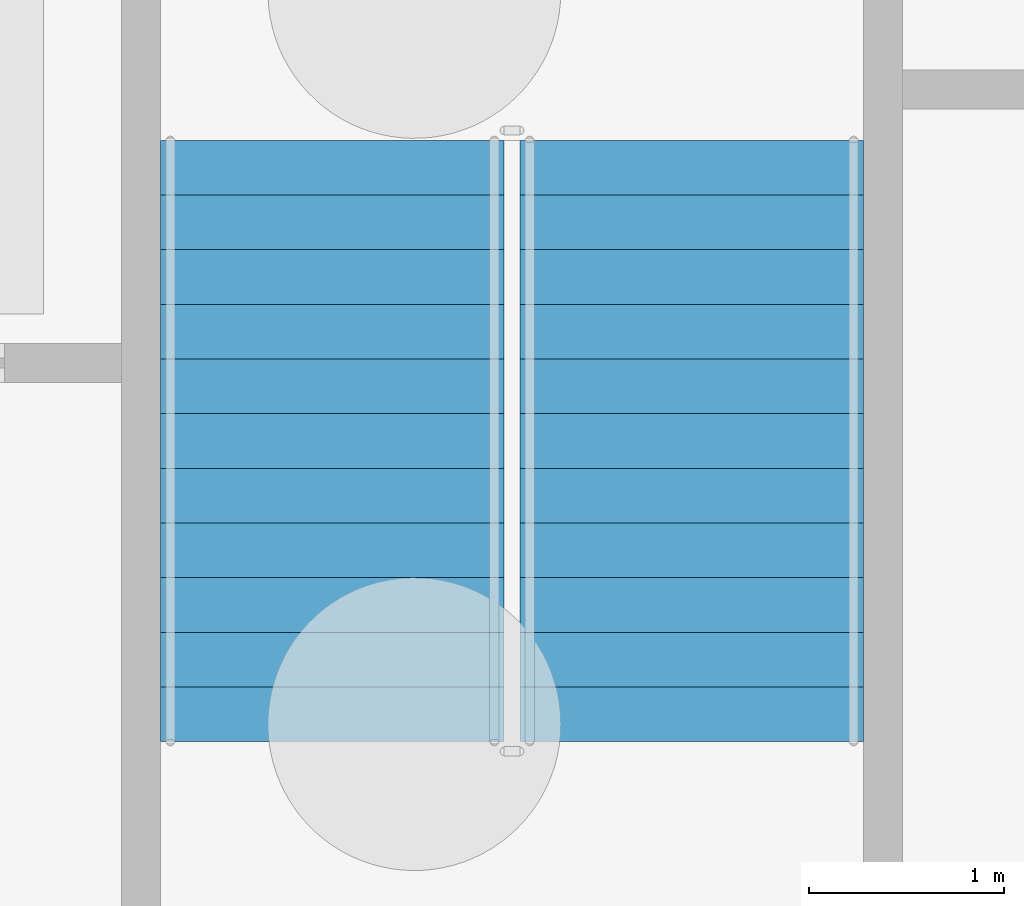
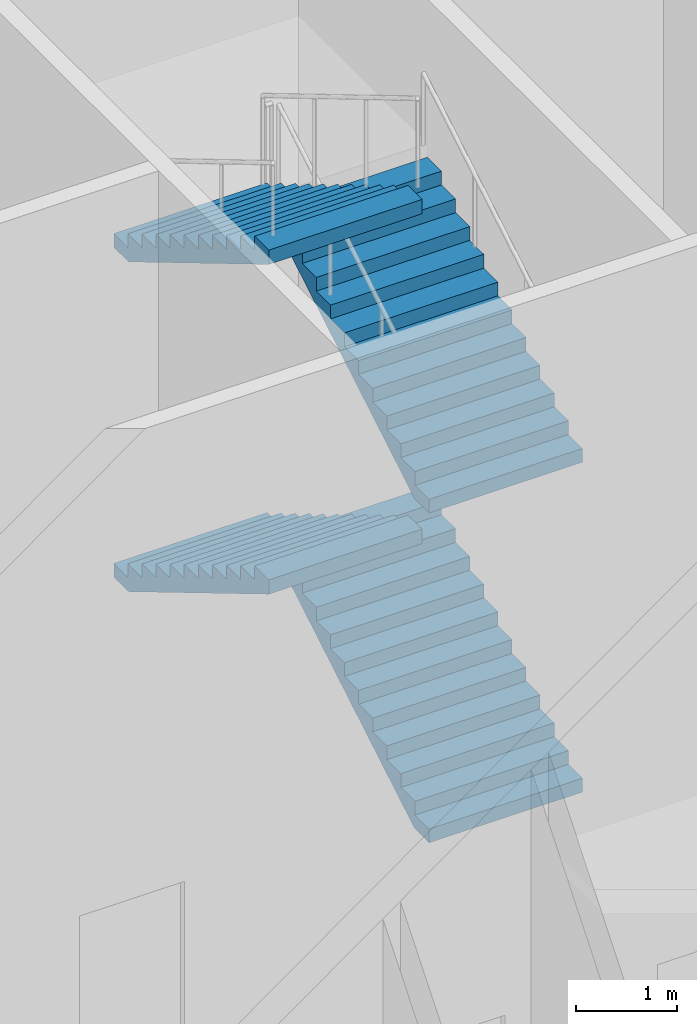
# One storey, part 25 of 34: 4 stair flights, 1 element without a shape of its own.
"""IFC4 building model written with IfcOpenShell, lengths in metres."""

from ifc_helpers import new_model, si_unit, direction, frame, origin, place, context, subcontext, project, spatial, faceted_brep, material, type_object, element, aggregate, save


model = new_model("IFC4")

# Units and contexts
model_context = context("Model", 3, precision=1e-05, world=origin(), true_north=direction((0.0, 1.0)))
body_context = subcontext(model_context, "Body", "Model", "MODEL_VIEW")
ifc_project = project(units=[si_unit("LENGTHUNIT", "METRE"), si_unit("AREAUNIT", "SQUARE_METRE"), si_unit("VOLUMEUNIT", "CUBIC_METRE"), si_unit("PLANEANGLEUNIT", "RADIAN"), si_unit("MASSUNIT", "GRAM", prefix="KILO")], contexts=[model_context])

# Site, building, storey
site_placement = place(None, origin())
site = spatial("IfcSite", under=ifc_project, at=site_placement, CompositionType="ELEMENT")
building_placement = place(site_placement, origin())
building = spatial("IfcBuilding", under=site, at=building_placement, Name="Tarsis Ring Headquarters", CompositionType="ELEMENT")
storey_placement = place(building_placement, origin())
storey = spatial("IfcBuildingStorey", under=building, at=storey_placement, Name="L00", CompositionType="ELEMENT", Elevation=0.0)

# Stair, stair flights
ifc_material_1 = material(Name="Core stair 1760")
stair_type = type_object("IfcStairType", Name="Core stair 1760", PredefinedType="HALF_TURN_STAIR", material=ifc_material_1)
stair_placement = place(storey_placement, origin())
stair = element("IfcStair", 1, at=stair_placement, inside=storey, type_object=stair_type, Name="L00 Exit stair B", PredefinedType="HALF_TURN_STAIR")
ifc_material_2 = material(Name="Concrete C40/50", Category="concrete")
stair_flight_type = type_object("IfcStairFlightType", Name="Core stair flight 1760", PredefinedType="STRAIGHT", material=ifc_material_2)
stair_flight_1_placement = place(storey_placement, frame((5.419921875, 3.659912109375, 0.0), z_axis=(0.0, 0.0, 1.0), x_axis=(0.0, 1.0, 0.0)))
stair_flight_1 = element("IfcStairFlight", 2, at=stair_flight_1_placement, type_object=stair_flight_type, Name="Stair ST2 flight 1", NumberOfRisers=12, NumberOfTreads=11, PredefinedType="STRAIGHT", RiserHeight=0.166666667, TreadLength=0.28, context=body_context, shape_type="Brep", body=[
    faceted_brep([(0.0, 0.8798828125, 0.0), (0.0, 0.8798828125, 0.166748046875), (0.280029296875, 0.8798828125, 0.166748046875), (0.280029296875, 0.8798828125, 0.333251953125), (0.56005859375, 0.8798828125, 0.333251953125), (0.56005859375, 0.8798828125, 0.5), (0.840087890625, 0.8798828125, 0.5), (0.840087890625, 0.8798828125, 0.666748046875), (1.1201171875, 0.8798828125, 0.666748046875), (1.1201171875, 0.8798828125, 0.833251953125), (1.39990234375, 0.8798828125, 0.833251953125), (1.39990234375, 0.8798828125, 1.0), (1.679931640625, 0.8798828125, 1.0), (1.679931640625, 0.8798828125, 1.166748046875), (1.9599609375, 0.8798828125, 1.166748046875), (1.9599609375, 0.8798828125, 1.333251953125), (2.239990234375, 0.8798828125, 1.333251953125), (2.239990234375, 0.8798828125, 1.5), (2.52001953125, 0.8798828125, 1.5), (2.52001953125, 0.8798828125, 1.666748046875), (2.800048828125, 0.8798828125, 1.666748046875), (2.800048828125, 0.8798828125, 1.833251953125), (3.080078125, 0.8798828125, 1.833251953125), (3.080078125, 0.8798828125, 1.658935546875), (0.29296875, 0.8798828125, 0.0), (0.29296875, -0.8798828125, 0.0), (3.080078125, -0.8798828125, 1.658935546875), (3.080078125, -0.8798828125, 1.833251953125), (2.800048828125, -0.8798828125, 1.833251953125), (2.800048828125, -0.8798828125, 1.666748046875), (2.52001953125, -0.8798828125, 1.666748046875), (2.52001953125, -0.8798828125, 1.5), (2.239990234375, -0.8798828125, 1.5), (2.239990234375, -0.8798828125, 1.333251953125), (1.9599609375, -0.8798828125, 1.333251953125), (1.9599609375, -0.8798828125, 1.166748046875), (1.679931640625, -0.8798828125, 1.166748046875), (1.679931640625, -0.8798828125, 1.0), (1.39990234375, -0.8798828125, 1.0), (1.39990234375, -0.8798828125, 0.833251953125), (1.1201171875, -0.8798828125, 0.833251953125), (1.1201171875, -0.8798828125, 0.666748046875), (0.840087890625, -0.8798828125, 0.666748046875), (0.840087890625, -0.8798828125, 0.5), (0.56005859375, -0.8798828125, 0.5), (0.56005859375, -0.8798828125, 0.333251953125), (0.280029296875, -0.8798828125, 0.333251953125), (0.280029296875, -0.8798828125, 0.166748046875), (0.0, -0.8798828125, 0.166748046875), (0.0, -0.8798828125, 0.0), (0.0, -0.43994140625, 0.166748046875), (0.0, -0.43994140625, 0.0), (0.0, 0.0, 0.166748046875), (0.0, 0.0, 0.0), (0.0, 0.43994140625, 0.166748046875), (0.0, 0.43994140625, 0.0), (0.280029296875, -0.43994140625, 0.166748046875), (0.280029296875, 0.0, 0.166748046875), (0.280029296875, 0.43994140625, 0.166748046875), (0.280029296875, -0.43994140625, 0.333251953125), (0.280029296875, 0.0, 0.333251953125), (0.280029296875, 0.43994140625, 0.333251953125), (0.56005859375, -0.43994140625, 0.333251953125), (0.56005859375, 0.0, 0.333251953125), (0.56005859375, 0.43994140625, 0.333251953125), (0.56005859375, -0.43994140625, 0.5), (0.56005859375, 0.0, 0.5), (0.56005859375, 0.43994140625, 0.5), (0.840087890625, -0.43994140625, 0.5), (0.840087890625, 0.0, 0.5), (0.840087890625, 0.43994140625, 0.5), (0.840087890625, -0.43994140625, 0.666748046875), (0.840087890625, 0.0, 0.666748046875), (0.840087890625, 0.43994140625, 0.666748046875), (1.1201171875, -0.43994140625, 0.666748046875), (1.1201171875, 0.0, 0.666748046875), (1.1201171875, 0.43994140625, 0.666748046875), (1.1201171875, -0.43994140625, 0.833251953125), (1.1201171875, 0.0, 0.833251953125), (1.1201171875, 0.43994140625, 0.833251953125), (1.39990234375, -0.43994140625, 0.833251953125), (1.39990234375, 0.0, 0.833251953125), (1.39990234375, 0.43994140625, 0.833251953125), (1.39990234375, -0.43994140625, 1.0), (1.39990234375, 0.0, 1.0), (1.39990234375, 0.43994140625, 1.0), (1.679931640625, -0.43994140625, 1.0), (1.679931640625, 0.0, 1.0), (1.679931640625, 0.43994140625, 1.0), (1.679931640625, -0.43994140625, 1.166748046875), (1.679931640625, 0.0, 1.166748046875), (1.679931640625, 0.43994140625, 1.166748046875), (1.9599609375, -0.43994140625, 1.166748046875), (1.9599609375, 0.0, 1.166748046875), (1.9599609375, 0.43994140625, 1.166748046875), (1.9599609375, -0.43994140625, 1.333251953125), (1.9599609375, 0.0, 1.333251953125), (1.9599609375, 0.43994140625, 1.333251953125), (2.239990234375, -0.43994140625, 1.333251953125), (2.239990234375, 0.0, 1.333251953125), (2.239990234375, 0.43994140625, 1.333251953125), (2.239990234375, -0.43994140625, 1.5), (2.239990234375, 0.0, 1.5), (2.239990234375, 0.43994140625, 1.5), (2.52001953125, -0.43994140625, 1.5), (2.52001953125, 0.0, 1.5), (2.52001953125, 0.43994140625, 1.5), (2.52001953125, -0.43994140625, 1.666748046875), (2.52001953125, 0.0, 1.666748046875), (2.52001953125, 0.43994140625, 1.666748046875), (2.800048828125, -0.43994140625, 1.666748046875), (2.800048828125, 0.0, 1.666748046875), (2.800048828125, 0.43994140625, 1.666748046875), (2.800048828125, -0.43994140625, 1.833251953125), (2.800048828125, 0.0, 1.833251953125), (2.800048828125, 0.43994140625, 1.833251953125), (3.080078125, -0.43994140625, 1.833251953125), (3.080078125, 0.0, 1.833251953125), (3.080078125, 0.43994140625, 1.833251953125), (3.080078125, -0.43994140625, 1.658935546875), (3.080078125, 0.0, 1.658935546875), (3.080078125, 0.43994140625, 1.658935546875), (0.29296875, -0.43994140625, 0.0), (0.29296875, 0.0, 0.0), (0.29296875, 0.43994140625, 0.0)], [[[0, 1, 2, 3, 4, 5, 6, 7, 8, 9, 10, 11, 12, 13, 14, 15, 16, 17, 18, 19, 20, 21, 22, 23, 24]], [[25, 26, 27, 28, 29, 30, 31, 32, 33, 34, 35, 36, 37, 38, 39, 40, 41, 42, 43, 44, 45, 46, 47, 48, 49]], [[49, 48, 50, 51]], [[51, 50, 52, 53]], [[53, 52, 54, 55]], [[55, 54, 1, 0]], [[48, 47, 56, 50]], [[50, 56, 57, 52]], [[52, 57, 58, 54]], [[54, 58, 2, 1]], [[47, 46, 59, 56]], [[56, 59, 60, 57]], [[57, 60, 61, 58]], [[58, 61, 3, 2]], [[46, 45, 62, 59]], [[59, 62, 63, 60]], [[60, 63, 64, 61]], [[61, 64, 4, 3]], [[45, 44, 65, 62]], [[62, 65, 66, 63]], [[63, 66, 67, 64]], [[64, 67, 5, 4]], [[44, 43, 68, 65]], [[65, 68, 69, 66]], [[66, 69, 70, 67]], [[67, 70, 6, 5]], [[43, 42, 71, 68]], [[68, 71, 72, 69]], [[69, 72, 73, 70]], [[70, 73, 7, 6]], [[42, 41, 74, 71]], [[71, 74, 75, 72]], [[72, 75, 76, 73]], [[73, 76, 8, 7]], [[41, 40, 77, 74]], [[74, 77, 78, 75]], [[75, 78, 79, 76]], [[76, 79, 9, 8]], [[40, 39, 80, 77]], [[77, 80, 81, 78]], [[78, 81, 82, 79]], [[79, 82, 10, 9]], [[39, 38, 83, 80]], [[80, 83, 84, 81]], [[81, 84, 85, 82]], [[82, 85, 11, 10]], [[38, 37, 86, 83]], [[83, 86, 87, 84]], [[84, 87, 88, 85]], [[85, 88, 12, 11]], [[37, 36, 89, 86]], [[86, 89, 90, 87]], [[87, 90, 91, 88]], [[88, 91, 13, 12]], [[36, 35, 92, 89]], [[89, 92, 93, 90]], [[90, 93, 94, 91]], [[91, 94, 14, 13]], [[35, 34, 95, 92]], [[92, 95, 96, 93]], [[93, 96, 97, 94]], [[94, 97, 15, 14]], [[34, 33, 98, 95]], [[95, 98, 99, 96]], [[96, 99, 100, 97]], [[97, 100, 16, 15]], [[33, 32, 101, 98]], [[98, 101, 102, 99]], [[99, 102, 103, 100]], [[100, 103, 17, 16]], [[32, 31, 104, 101]], [[101, 104, 105, 102]], [[102, 105, 106, 103]], [[103, 106, 18, 17]], [[31, 30, 107, 104]], [[104, 107, 108, 105]], [[105, 108, 109, 106]], [[106, 109, 19, 18]], [[30, 29, 110, 107]], [[107, 110, 111, 108]], [[108, 111, 112, 109]], [[109, 112, 20, 19]], [[29, 28, 113, 110]], [[110, 113, 114, 111]], [[111, 114, 115, 112]], [[112, 115, 21, 20]], [[28, 27, 116, 113]], [[113, 116, 117, 114]], [[114, 117, 118, 115]], [[115, 118, 22, 21]], [[27, 26, 119, 116]], [[116, 119, 120, 117]], [[117, 120, 121, 118]], [[118, 121, 23, 22]], [[26, 25, 122, 119]], [[119, 122, 123, 120]], [[120, 123, 124, 121]], [[121, 124, 24, 23]], [[25, 49, 51, 122]], [[122, 51, 53, 123]], [[123, 53, 55, 124]], [[124, 55, 0, 24]]]),
])
stair_flight_2_placement = place(storey_placement, frame((3.580078125, 6.739990234375, 2.0), z_axis=(0.0, 0.0, 1.0), x_axis=(0.0, -1.0, 0.0)))
stair_flight_2 = element("IfcStairFlight", 3, at=stair_flight_2_placement, type_object=stair_flight_type, Name="Stair ST2 flight 2", NumberOfRisers=12, NumberOfTreads=11, PredefinedType="STRAIGHT", RiserHeight=0.166666667, TreadLength=0.28, context=body_context, shape_type="Brep", body=[
    faceted_brep([(0.0, 0.8798828125, 0.0), (0.0, 0.8798828125, 0.166748046875), (0.280029296875, 0.8798828125, 0.166748046875), (0.280029296875, 0.8798828125, 0.333251953125), (0.56005859375, 0.8798828125, 0.333251953125), (0.56005859375, 0.8798828125, 0.5), (0.840087890625, 0.8798828125, 0.5), (0.840087890625, 0.8798828125, 0.666748046875), (1.1201171875, 0.8798828125, 0.666748046875), (1.1201171875, 0.8798828125, 0.833251953125), (1.39990234375, 0.8798828125, 0.833251953125), (1.39990234375, 0.8798828125, 1.0), (1.679931640625, 0.8798828125, 1.0), (1.679931640625, 0.8798828125, 1.166748046875), (1.9599609375, 0.8798828125, 1.166748046875), (1.9599609375, 0.8798828125, 1.333251953125), (2.239990234375, 0.8798828125, 1.333251953125), (2.239990234375, 0.8798828125, 1.5), (2.52001953125, 0.8798828125, 1.5), (2.52001953125, 0.8798828125, 1.666748046875), (2.800048828125, 0.8798828125, 1.666748046875), (2.800048828125, 0.8798828125, 1.833251953125), (3.080078125, 0.8798828125, 1.833251953125), (3.080078125, 0.8798828125, 1.658935546875), (0.29296875, 0.8798828125, 0.0), (0.29296875, -0.8798828125, 0.0), (3.080078125, -0.8798828125, 1.658935546875), (3.080078125, -0.8798828125, 1.833251953125), (2.800048828125, -0.8798828125, 1.833251953125), (2.800048828125, -0.8798828125, 1.666748046875), (2.52001953125, -0.8798828125, 1.666748046875), (2.52001953125, -0.8798828125, 1.5), (2.239990234375, -0.8798828125, 1.5), (2.239990234375, -0.8798828125, 1.333251953125), (1.9599609375, -0.8798828125, 1.333251953125), (1.9599609375, -0.8798828125, 1.166748046875), (1.679931640625, -0.8798828125, 1.166748046875), (1.679931640625, -0.8798828125, 1.0), (1.39990234375, -0.8798828125, 1.0), (1.39990234375, -0.8798828125, 0.833251953125), (1.1201171875, -0.8798828125, 0.833251953125), (1.1201171875, -0.8798828125, 0.666748046875), (0.840087890625, -0.8798828125, 0.666748046875), (0.840087890625, -0.8798828125, 0.5), (0.56005859375, -0.8798828125, 0.5), (0.56005859375, -0.8798828125, 0.333251953125), (0.280029296875, -0.8798828125, 0.333251953125), (0.280029296875, -0.8798828125, 0.166748046875), (0.0, -0.8798828125, 0.166748046875), (0.0, -0.8798828125, 0.0), (0.0, -0.43994140625, 0.166748046875), (0.0, -0.43994140625, 0.0), (0.0, 0.0, 0.166748046875), (0.0, 0.0, 0.0), (0.0, 0.43994140625, 0.166748046875), (0.0, 0.43994140625, 0.0), (0.280029296875, -0.43994140625, 0.166748046875), (0.280029296875, 0.0, 0.166748046875), (0.280029296875, 0.43994140625, 0.166748046875), (0.280029296875, -0.43994140625, 0.333251953125), (0.280029296875, 0.0, 0.333251953125), (0.280029296875, 0.43994140625, 0.333251953125), (0.56005859375, -0.43994140625, 0.333251953125), (0.56005859375, 0.0, 0.333251953125), (0.56005859375, 0.43994140625, 0.333251953125), (0.56005859375, -0.43994140625, 0.5), (0.56005859375, 0.0, 0.5), (0.56005859375, 0.43994140625, 0.5), (0.840087890625, -0.43994140625, 0.5), (0.840087890625, 0.0, 0.5), (0.840087890625, 0.43994140625, 0.5), (0.840087890625, -0.43994140625, 0.666748046875), (0.840087890625, 0.0, 0.666748046875), (0.840087890625, 0.43994140625, 0.666748046875), (1.1201171875, -0.43994140625, 0.666748046875), (1.1201171875, 0.0, 0.666748046875), (1.1201171875, 0.43994140625, 0.666748046875), (1.1201171875, -0.43994140625, 0.833251953125), (1.1201171875, 0.0, 0.833251953125), (1.1201171875, 0.43994140625, 0.833251953125), (1.39990234375, -0.43994140625, 0.833251953125), (1.39990234375, 0.0, 0.833251953125), (1.39990234375, 0.43994140625, 0.833251953125), (1.39990234375, -0.43994140625, 1.0), (1.39990234375, 0.0, 1.0), (1.39990234375, 0.43994140625, 1.0), (1.679931640625, -0.43994140625, 1.0), (1.679931640625, 0.0, 1.0), (1.679931640625, 0.43994140625, 1.0), (1.679931640625, -0.43994140625, 1.166748046875), (1.679931640625, 0.0, 1.166748046875), (1.679931640625, 0.43994140625, 1.166748046875), (1.9599609375, -0.43994140625, 1.166748046875), (1.9599609375, 0.0, 1.166748046875), (1.9599609375, 0.43994140625, 1.166748046875), (1.9599609375, -0.43994140625, 1.333251953125), (1.9599609375, 0.0, 1.333251953125), (1.9599609375, 0.43994140625, 1.333251953125), (2.239990234375, -0.43994140625, 1.333251953125), (2.239990234375, 0.0, 1.333251953125), (2.239990234375, 0.43994140625, 1.333251953125), (2.239990234375, -0.43994140625, 1.5), (2.239990234375, 0.0, 1.5), (2.239990234375, 0.43994140625, 1.5), (2.52001953125, -0.43994140625, 1.5), (2.52001953125, 0.0, 1.5), (2.52001953125, 0.43994140625, 1.5), (2.52001953125, -0.43994140625, 1.666748046875), (2.52001953125, 0.0, 1.666748046875), (2.52001953125, 0.43994140625, 1.666748046875), (2.800048828125, -0.43994140625, 1.666748046875), (2.800048828125, 0.0, 1.666748046875), (2.800048828125, 0.43994140625, 1.666748046875), (2.800048828125, -0.43994140625, 1.833251953125), (2.800048828125, 0.0, 1.833251953125), (2.800048828125, 0.43994140625, 1.833251953125), (3.080078125, -0.43994140625, 1.833251953125), (3.080078125, 0.0, 1.833251953125), (3.080078125, 0.43994140625, 1.833251953125), (3.080078125, -0.43994140625, 1.658935546875), (3.080078125, 0.0, 1.658935546875), (3.080078125, 0.43994140625, 1.658935546875), (0.29296875, -0.43994140625, 0.0), (0.29296875, 0.0, 0.0), (0.29296875, 0.43994140625, 0.0)], [[[0, 1, 2, 3, 4, 5, 6, 7, 8, 9, 10, 11, 12, 13, 14, 15, 16, 17, 18, 19, 20, 21, 22, 23, 24]], [[25, 26, 27, 28, 29, 30, 31, 32, 33, 34, 35, 36, 37, 38, 39, 40, 41, 42, 43, 44, 45, 46, 47, 48, 49]], [[49, 48, 50, 51]], [[51, 50, 52, 53]], [[53, 52, 54, 55]], [[55, 54, 1, 0]], [[48, 47, 56, 50]], [[50, 56, 57, 52]], [[52, 57, 58, 54]], [[54, 58, 2, 1]], [[47, 46, 59, 56]], [[56, 59, 60, 57]], [[57, 60, 61, 58]], [[58, 61, 3, 2]], [[46, 45, 62, 59]], [[59, 62, 63, 60]], [[60, 63, 64, 61]], [[61, 64, 4, 3]], [[45, 44, 65, 62]], [[62, 65, 66, 63]], [[63, 66, 67, 64]], [[64, 67, 5, 4]], [[44, 43, 68, 65]], [[65, 68, 69, 66]], [[66, 69, 70, 67]], [[67, 70, 6, 5]], [[43, 42, 71, 68]], [[68, 71, 72, 69]], [[69, 72, 73, 70]], [[70, 73, 7, 6]], [[42, 41, 74, 71]], [[71, 74, 75, 72]], [[72, 75, 76, 73]], [[73, 76, 8, 7]], [[41, 40, 77, 74]], [[74, 77, 78, 75]], [[75, 78, 79, 76]], [[76, 79, 9, 8]], [[40, 39, 80, 77]], [[77, 80, 81, 78]], [[78, 81, 82, 79]], [[79, 82, 10, 9]], [[39, 38, 83, 80]], [[80, 83, 84, 81]], [[81, 84, 85, 82]], [[82, 85, 11, 10]], [[38, 37, 86, 83]], [[83, 86, 87, 84]], [[84, 87, 88, 85]], [[85, 88, 12, 11]], [[37, 36, 89, 86]], [[86, 89, 90, 87]], [[87, 90, 91, 88]], [[88, 91, 13, 12]], [[36, 35, 92, 89]], [[89, 92, 93, 90]], [[90, 93, 94, 91]], [[91, 94, 14, 13]], [[35, 34, 95, 92]], [[92, 95, 96, 93]], [[93, 96, 97, 94]], [[94, 97, 15, 14]], [[34, 33, 98, 95]], [[95, 98, 99, 96]], [[96, 99, 100, 97]], [[97, 100, 16, 15]], [[33, 32, 101, 98]], [[98, 101, 102, 99]], [[99, 102, 103, 100]], [[100, 103, 17, 16]], [[32, 31, 104, 101]], [[101, 104, 105, 102]], [[102, 105, 106, 103]], [[103, 106, 18, 17]], [[31, 30, 107, 104]], [[104, 107, 108, 105]], [[105, 108, 109, 106]], [[106, 109, 19, 18]], [[30, 29, 110, 107]], [[107, 110, 111, 108]], [[108, 111, 112, 109]], [[109, 112, 20, 19]], [[29, 28, 113, 110]], [[110, 113, 114, 111]], [[111, 114, 115, 112]], [[112, 115, 21, 20]], [[28, 27, 116, 113]], [[113, 116, 117, 114]], [[114, 117, 118, 115]], [[115, 118, 22, 21]], [[27, 26, 119, 116]], [[116, 119, 120, 117]], [[117, 120, 121, 118]], [[118, 121, 23, 22]], [[26, 25, 122, 119]], [[119, 122, 123, 120]], [[120, 123, 124, 121]], [[121, 124, 24, 23]], [[25, 49, 51, 122]], [[122, 51, 53, 123]], [[123, 53, 55, 124]], [[124, 55, 0, 24]]]),
])
stair_flight_3_placement = place(storey_placement, frame((5.419921875, 3.659912109375, 4.0), z_axis=(0.0, 0.0, 1.0), x_axis=(0.0, 1.0, 0.0)))
stair_flight_3 = element("IfcStairFlight", 4, at=stair_flight_3_placement, type_object=stair_flight_type, Name="Stair ST2 flight 3", NumberOfRisers=12, NumberOfTreads=11, PredefinedType="STRAIGHT", RiserHeight=0.166666667, TreadLength=0.28, context=body_context, shape_type="Brep", body=[
    faceted_brep([(0.0, 0.8798828125, 0.0), (0.0, 0.8798828125, 0.166748046875), (0.280029296875, 0.8798828125, 0.166748046875), (0.280029296875, 0.8798828125, 0.333251953125), (0.56005859375, 0.8798828125, 0.333251953125), (0.56005859375, 0.8798828125, 0.5), (0.840087890625, 0.8798828125, 0.5), (0.840087890625, 0.8798828125, 0.666748046875), (1.1201171875, 0.8798828125, 0.666748046875), (1.1201171875, 0.8798828125, 0.833251953125), (1.39990234375, 0.8798828125, 0.833251953125), (1.39990234375, 0.8798828125, 1.0), (1.679931640625, 0.8798828125, 1.0), (1.679931640625, 0.8798828125, 1.166748046875), (1.9599609375, 0.8798828125, 1.166748046875), (1.9599609375, 0.8798828125, 1.333251953125), (2.239990234375, 0.8798828125, 1.333251953125), (2.239990234375, 0.8798828125, 1.5), (2.52001953125, 0.8798828125, 1.5), (2.52001953125, 0.8798828125, 1.666748046875), (2.800048828125, 0.8798828125, 1.666748046875), (2.800048828125, 0.8798828125, 1.833251953125), (3.080078125, 0.8798828125, 1.833251953125), (3.080078125, 0.8798828125, 1.658935546875), (0.29296875, 0.8798828125, 0.0), (0.29296875, -0.8798828125, 0.0), (3.080078125, -0.8798828125, 1.658935546875), (3.080078125, -0.8798828125, 1.833251953125), (2.800048828125, -0.8798828125, 1.833251953125), (2.800048828125, -0.8798828125, 1.666748046875), (2.52001953125, -0.8798828125, 1.666748046875), (2.52001953125, -0.8798828125, 1.5), (2.239990234375, -0.8798828125, 1.5), (2.239990234375, -0.8798828125, 1.333251953125), (1.9599609375, -0.8798828125, 1.333251953125), (1.9599609375, -0.8798828125, 1.166748046875), (1.679931640625, -0.8798828125, 1.166748046875), (1.679931640625, -0.8798828125, 1.0), (1.39990234375, -0.8798828125, 1.0), (1.39990234375, -0.8798828125, 0.833251953125), (1.1201171875, -0.8798828125, 0.833251953125), (1.1201171875, -0.8798828125, 0.666748046875), (0.840087890625, -0.8798828125, 0.666748046875), (0.840087890625, -0.8798828125, 0.5), (0.56005859375, -0.8798828125, 0.5), (0.56005859375, -0.8798828125, 0.333251953125), (0.280029296875, -0.8798828125, 0.333251953125), (0.280029296875, -0.8798828125, 0.166748046875), (0.0, -0.8798828125, 0.166748046875), (0.0, -0.8798828125, 0.0), (0.0, -0.43994140625, 0.166748046875), (0.0, -0.43994140625, 0.0), (0.0, 0.0, 0.166748046875), (0.0, 0.0, 0.0), (0.0, 0.43994140625, 0.166748046875), (0.0, 0.43994140625, 0.0), (0.280029296875, -0.43994140625, 0.166748046875), (0.280029296875, 0.0, 0.166748046875), (0.280029296875, 0.43994140625, 0.166748046875), (0.280029296875, -0.43994140625, 0.333251953125), (0.280029296875, 0.0, 0.333251953125), (0.280029296875, 0.43994140625, 0.333251953125), (0.56005859375, -0.43994140625, 0.333251953125), (0.56005859375, 0.0, 0.333251953125), (0.56005859375, 0.43994140625, 0.333251953125), (0.56005859375, -0.43994140625, 0.5), (0.56005859375, 0.0, 0.5), (0.56005859375, 0.43994140625, 0.5), (0.840087890625, -0.43994140625, 0.5), (0.840087890625, 0.0, 0.5), (0.840087890625, 0.43994140625, 0.5), (0.840087890625, -0.43994140625, 0.666748046875), (0.840087890625, 0.0, 0.666748046875), (0.840087890625, 0.43994140625, 0.666748046875), (1.1201171875, -0.43994140625, 0.666748046875), (1.1201171875, 0.0, 0.666748046875), (1.1201171875, 0.43994140625, 0.666748046875), (1.1201171875, -0.43994140625, 0.833251953125), (1.1201171875, 0.0, 0.833251953125), (1.1201171875, 0.43994140625, 0.833251953125), (1.39990234375, -0.43994140625, 0.833251953125), (1.39990234375, 0.0, 0.833251953125), (1.39990234375, 0.43994140625, 0.833251953125), (1.39990234375, -0.43994140625, 1.0), (1.39990234375, 0.0, 1.0), (1.39990234375, 0.43994140625, 1.0), (1.679931640625, -0.43994140625, 1.0), (1.679931640625, 0.0, 1.0), (1.679931640625, 0.43994140625, 1.0), (1.679931640625, -0.43994140625, 1.166748046875), (1.679931640625, 0.0, 1.166748046875), (1.679931640625, 0.43994140625, 1.166748046875), (1.9599609375, -0.43994140625, 1.166748046875), (1.9599609375, 0.0, 1.166748046875), (1.9599609375, 0.43994140625, 1.166748046875), (1.9599609375, -0.43994140625, 1.333251953125), (1.9599609375, 0.0, 1.333251953125), (1.9599609375, 0.43994140625, 1.333251953125), (2.239990234375, -0.43994140625, 1.333251953125), (2.239990234375, 0.0, 1.333251953125), (2.239990234375, 0.43994140625, 1.333251953125), (2.239990234375, -0.43994140625, 1.5), (2.239990234375, 0.0, 1.5), (2.239990234375, 0.43994140625, 1.5), (2.52001953125, -0.43994140625, 1.5), (2.52001953125, 0.0, 1.5), (2.52001953125, 0.43994140625, 1.5), (2.52001953125, -0.43994140625, 1.666748046875), (2.52001953125, 0.0, 1.666748046875), (2.52001953125, 0.43994140625, 1.666748046875), (2.800048828125, -0.43994140625, 1.666748046875), (2.800048828125, 0.0, 1.666748046875), (2.800048828125, 0.43994140625, 1.666748046875), (2.800048828125, -0.43994140625, 1.833251953125), (2.800048828125, 0.0, 1.833251953125), (2.800048828125, 0.43994140625, 1.833251953125), (3.080078125, -0.43994140625, 1.833251953125), (3.080078125, 0.0, 1.833251953125), (3.080078125, 0.43994140625, 1.833251953125), (3.080078125, -0.43994140625, 1.658935546875), (3.080078125, 0.0, 1.658935546875), (3.080078125, 0.43994140625, 1.658935546875), (0.29296875, -0.43994140625, 0.0), (0.29296875, 0.0, 0.0), (0.29296875, 0.43994140625, 0.0)], [[[0, 1, 2, 3, 4, 5, 6, 7, 8, 9, 10, 11, 12, 13, 14, 15, 16, 17, 18, 19, 20, 21, 22, 23, 24]], [[25, 26, 27, 28, 29, 30, 31, 32, 33, 34, 35, 36, 37, 38, 39, 40, 41, 42, 43, 44, 45, 46, 47, 48, 49]], [[49, 48, 50, 51]], [[51, 50, 52, 53]], [[53, 52, 54, 55]], [[55, 54, 1, 0]], [[48, 47, 56, 50]], [[50, 56, 57, 52]], [[52, 57, 58, 54]], [[54, 58, 2, 1]], [[47, 46, 59, 56]], [[56, 59, 60, 57]], [[57, 60, 61, 58]], [[58, 61, 3, 2]], [[46, 45, 62, 59]], [[59, 62, 63, 60]], [[60, 63, 64, 61]], [[61, 64, 4, 3]], [[45, 44, 65, 62]], [[62, 65, 66, 63]], [[63, 66, 67, 64]], [[64, 67, 5, 4]], [[44, 43, 68, 65]], [[65, 68, 69, 66]], [[66, 69, 70, 67]], [[67, 70, 6, 5]], [[43, 42, 71, 68]], [[68, 71, 72, 69]], [[69, 72, 73, 70]], [[70, 73, 7, 6]], [[42, 41, 74, 71]], [[71, 74, 75, 72]], [[72, 75, 76, 73]], [[73, 76, 8, 7]], [[41, 40, 77, 74]], [[74, 77, 78, 75]], [[75, 78, 79, 76]], [[76, 79, 9, 8]], [[40, 39, 80, 77]], [[77, 80, 81, 78]], [[78, 81, 82, 79]], [[79, 82, 10, 9]], [[39, 38, 83, 80]], [[80, 83, 84, 81]], [[81, 84, 85, 82]], [[82, 85, 11, 10]], [[38, 37, 86, 83]], [[83, 86, 87, 84]], [[84, 87, 88, 85]], [[85, 88, 12, 11]], [[37, 36, 89, 86]], [[86, 89, 90, 87]], [[87, 90, 91, 88]], [[88, 91, 13, 12]], [[36, 35, 92, 89]], [[89, 92, 93, 90]], [[90, 93, 94, 91]], [[91, 94, 14, 13]], [[35, 34, 95, 92]], [[92, 95, 96, 93]], [[93, 96, 97, 94]], [[94, 97, 15, 14]], [[34, 33, 98, 95]], [[95, 98, 99, 96]], [[96, 99, 100, 97]], [[97, 100, 16, 15]], [[33, 32, 101, 98]], [[98, 101, 102, 99]], [[99, 102, 103, 100]], [[100, 103, 17, 16]], [[32, 31, 104, 101]], [[101, 104, 105, 102]], [[102, 105, 106, 103]], [[103, 106, 18, 17]], [[31, 30, 107, 104]], [[104, 107, 108, 105]], [[105, 108, 109, 106]], [[106, 109, 19, 18]], [[30, 29, 110, 107]], [[107, 110, 111, 108]], [[108, 111, 112, 109]], [[109, 112, 20, 19]], [[29, 28, 113, 110]], [[110, 113, 114, 111]], [[111, 114, 115, 112]], [[112, 115, 21, 20]], [[28, 27, 116, 113]], [[113, 116, 117, 114]], [[114, 117, 118, 115]], [[115, 118, 22, 21]], [[27, 26, 119, 116]], [[116, 119, 120, 117]], [[117, 120, 121, 118]], [[118, 121, 23, 22]], [[26, 25, 122, 119]], [[119, 122, 123, 120]], [[120, 123, 124, 121]], [[121, 124, 24, 23]], [[25, 49, 51, 122]], [[122, 51, 53, 123]], [[123, 53, 55, 124]], [[124, 55, 0, 24]]]),
])
stair_flight_4_placement = place(storey_placement, frame((3.580078125, 6.739990234375, 6.0), z_axis=(0.0, 0.0, 1.0), x_axis=(0.0, -1.0, 0.0)))
stair_flight_4 = element("IfcStairFlight", 5, at=stair_flight_4_placement, type_object=stair_flight_type, Name="Stair ST2 flight 4", NumberOfRisers=12, NumberOfTreads=11, PredefinedType="STRAIGHT", RiserHeight=0.166666667, TreadLength=0.28, context=body_context, shape_type="Brep", body=[
    faceted_brep([(0.0, 0.8798828125, 0.0), (0.0, 0.8798828125, 0.166748046875), (0.280029296875, 0.8798828125, 0.166748046875), (0.280029296875, 0.8798828125, 0.333251953125), (0.56005859375, 0.8798828125, 0.333251953125), (0.56005859375, 0.8798828125, 0.5), (0.840087890625, 0.8798828125, 0.5), (0.840087890625, 0.8798828125, 0.666748046875), (1.1201171875, 0.8798828125, 0.666748046875), (1.1201171875, 0.8798828125, 0.833251953125), (1.39990234375, 0.8798828125, 0.833251953125), (1.39990234375, 0.8798828125, 1.0), (1.679931640625, 0.8798828125, 1.0), (1.679931640625, 0.8798828125, 1.166748046875), (1.9599609375, 0.8798828125, 1.166748046875), (1.9599609375, 0.8798828125, 1.333251953125), (2.239990234375, 0.8798828125, 1.333251953125), (2.239990234375, 0.8798828125, 1.5), (2.52001953125, 0.8798828125, 1.5), (2.52001953125, 0.8798828125, 1.666748046875), (2.800048828125, 0.8798828125, 1.666748046875), (2.800048828125, 0.8798828125, 1.833251953125), (3.080078125, 0.8798828125, 1.833251953125), (3.080078125, 0.8798828125, 1.658935546875), (0.29296875, 0.8798828125, 0.0), (0.29296875, -0.8798828125, 0.0), (3.080078125, -0.8798828125, 1.658935546875), (3.080078125, -0.8798828125, 1.833251953125), (2.800048828125, -0.8798828125, 1.833251953125), (2.800048828125, -0.8798828125, 1.666748046875), (2.52001953125, -0.8798828125, 1.666748046875), (2.52001953125, -0.8798828125, 1.5), (2.239990234375, -0.8798828125, 1.5), (2.239990234375, -0.8798828125, 1.333251953125), (1.9599609375, -0.8798828125, 1.333251953125), (1.9599609375, -0.8798828125, 1.166748046875), (1.679931640625, -0.8798828125, 1.166748046875), (1.679931640625, -0.8798828125, 1.0), (1.39990234375, -0.8798828125, 1.0), (1.39990234375, -0.8798828125, 0.833251953125), (1.1201171875, -0.8798828125, 0.833251953125), (1.1201171875, -0.8798828125, 0.666748046875), (0.840087890625, -0.8798828125, 0.666748046875), (0.840087890625, -0.8798828125, 0.5), (0.56005859375, -0.8798828125, 0.5), (0.56005859375, -0.8798828125, 0.333251953125), (0.280029296875, -0.8798828125, 0.333251953125), (0.280029296875, -0.8798828125, 0.166748046875), (0.0, -0.8798828125, 0.166748046875), (0.0, -0.8798828125, 0.0), (0.0, -0.43994140625, 0.166748046875), (0.0, -0.43994140625, 0.0), (0.0, 0.0, 0.166748046875), (0.0, 0.0, 0.0), (0.0, 0.43994140625, 0.166748046875), (0.0, 0.43994140625, 0.0), (0.280029296875, -0.43994140625, 0.166748046875), (0.280029296875, 0.0, 0.166748046875), (0.280029296875, 0.43994140625, 0.166748046875), (0.280029296875, -0.43994140625, 0.333251953125), (0.280029296875, 0.0, 0.333251953125), (0.280029296875, 0.43994140625, 0.333251953125), (0.56005859375, -0.43994140625, 0.333251953125), (0.56005859375, 0.0, 0.333251953125), (0.56005859375, 0.43994140625, 0.333251953125), (0.56005859375, -0.43994140625, 0.5), (0.56005859375, 0.0, 0.5), (0.56005859375, 0.43994140625, 0.5), (0.840087890625, -0.43994140625, 0.5), (0.840087890625, 0.0, 0.5), (0.840087890625, 0.43994140625, 0.5), (0.840087890625, -0.43994140625, 0.666748046875), (0.840087890625, 0.0, 0.666748046875), (0.840087890625, 0.43994140625, 0.666748046875), (1.1201171875, -0.43994140625, 0.666748046875), (1.1201171875, 0.0, 0.666748046875), (1.1201171875, 0.43994140625, 0.666748046875), (1.1201171875, -0.43994140625, 0.833251953125), (1.1201171875, 0.0, 0.833251953125), (1.1201171875, 0.43994140625, 0.833251953125), (1.39990234375, -0.43994140625, 0.833251953125), (1.39990234375, 0.0, 0.833251953125), (1.39990234375, 0.43994140625, 0.833251953125), (1.39990234375, -0.43994140625, 1.0), (1.39990234375, 0.0, 1.0), (1.39990234375, 0.43994140625, 1.0), (1.679931640625, -0.43994140625, 1.0), (1.679931640625, 0.0, 1.0), (1.679931640625, 0.43994140625, 1.0), (1.679931640625, -0.43994140625, 1.166748046875), (1.679931640625, 0.0, 1.166748046875), (1.679931640625, 0.43994140625, 1.166748046875), (1.9599609375, -0.43994140625, 1.166748046875), (1.9599609375, 0.0, 1.166748046875), (1.9599609375, 0.43994140625, 1.166748046875), (1.9599609375, -0.43994140625, 1.333251953125), (1.9599609375, 0.0, 1.333251953125), (1.9599609375, 0.43994140625, 1.333251953125), (2.239990234375, -0.43994140625, 1.333251953125), (2.239990234375, 0.0, 1.333251953125), (2.239990234375, 0.43994140625, 1.333251953125), (2.239990234375, -0.43994140625, 1.5), (2.239990234375, 0.0, 1.5), (2.239990234375, 0.43994140625, 1.5), (2.52001953125, -0.43994140625, 1.5), (2.52001953125, 0.0, 1.5), (2.52001953125, 0.43994140625, 1.5), (2.52001953125, -0.43994140625, 1.666748046875), (2.52001953125, 0.0, 1.666748046875), (2.52001953125, 0.43994140625, 1.666748046875), (2.800048828125, -0.43994140625, 1.666748046875), (2.800048828125, 0.0, 1.666748046875), (2.800048828125, 0.43994140625, 1.666748046875), (2.800048828125, -0.43994140625, 1.833251953125), (2.800048828125, 0.0, 1.833251953125), (2.800048828125, 0.43994140625, 1.833251953125), (3.080078125, -0.43994140625, 1.833251953125), (3.080078125, 0.0, 1.833251953125), (3.080078125, 0.43994140625, 1.833251953125), (3.080078125, -0.43994140625, 1.658935546875), (3.080078125, 0.0, 1.658935546875), (3.080078125, 0.43994140625, 1.658935546875), (0.29296875, -0.43994140625, 0.0), (0.29296875, 0.0, 0.0), (0.29296875, 0.43994140625, 0.0)], [[[0, 1, 2, 3, 4, 5, 6, 7, 8, 9, 10, 11, 12, 13, 14, 15, 16, 17, 18, 19, 20, 21, 22, 23, 24]], [[25, 26, 27, 28, 29, 30, 31, 32, 33, 34, 35, 36, 37, 38, 39, 40, 41, 42, 43, 44, 45, 46, 47, 48, 49]], [[49, 48, 50, 51]], [[51, 50, 52, 53]], [[53, 52, 54, 55]], [[55, 54, 1, 0]], [[48, 47, 56, 50]], [[50, 56, 57, 52]], [[52, 57, 58, 54]], [[54, 58, 2, 1]], [[47, 46, 59, 56]], [[56, 59, 60, 57]], [[57, 60, 61, 58]], [[58, 61, 3, 2]], [[46, 45, 62, 59]], [[59, 62, 63, 60]], [[60, 63, 64, 61]], [[61, 64, 4, 3]], [[45, 44, 65, 62]], [[62, 65, 66, 63]], [[63, 66, 67, 64]], [[64, 67, 5, 4]], [[44, 43, 68, 65]], [[65, 68, 69, 66]], [[66, 69, 70, 67]], [[67, 70, 6, 5]], [[43, 42, 71, 68]], [[68, 71, 72, 69]], [[69, 72, 73, 70]], [[70, 73, 7, 6]], [[42, 41, 74, 71]], [[71, 74, 75, 72]], [[72, 75, 76, 73]], [[73, 76, 8, 7]], [[41, 40, 77, 74]], [[74, 77, 78, 75]], [[75, 78, 79, 76]], [[76, 79, 9, 8]], [[40, 39, 80, 77]], [[77, 80, 81, 78]], [[78, 81, 82, 79]], [[79, 82, 10, 9]], [[39, 38, 83, 80]], [[80, 83, 84, 81]], [[81, 84, 85, 82]], [[82, 85, 11, 10]], [[38, 37, 86, 83]], [[83, 86, 87, 84]], [[84, 87, 88, 85]], [[85, 88, 12, 11]], [[37, 36, 89, 86]], [[86, 89, 90, 87]], [[87, 90, 91, 88]], [[88, 91, 13, 12]], [[36, 35, 92, 89]], [[89, 92, 93, 90]], [[90, 93, 94, 91]], [[91, 94, 14, 13]], [[35, 34, 95, 92]], [[92, 95, 96, 93]], [[93, 96, 97, 94]], [[94, 97, 15, 14]], [[34, 33, 98, 95]], [[95, 98, 99, 96]], [[96, 99, 100, 97]], [[97, 100, 16, 15]], [[33, 32, 101, 98]], [[98, 101, 102, 99]], [[99, 102, 103, 100]], [[100, 103, 17, 16]], [[32, 31, 104, 101]], [[101, 104, 105, 102]], [[102, 105, 106, 103]], [[103, 106, 18, 17]], [[31, 30, 107, 104]], [[104, 107, 108, 105]], [[105, 108, 109, 106]], [[106, 109, 19, 18]], [[30, 29, 110, 107]], [[107, 110, 111, 108]], [[108, 111, 112, 109]], [[109, 112, 20, 19]], [[29, 28, 113, 110]], [[110, 113, 114, 111]], [[111, 114, 115, 112]], [[112, 115, 21, 20]], [[28, 27, 116, 113]], [[113, 116, 117, 114]], [[114, 117, 118, 115]], [[115, 118, 22, 21]], [[27, 26, 119, 116]], [[116, 119, 120, 117]], [[117, 120, 121, 118]], [[118, 121, 23, 22]], [[26, 25, 122, 119]], [[119, 122, 123, 120]], [[120, 123, 124, 121]], [[121, 124, 24, 23]], [[25, 49, 51, 122]], [[122, 51, 53, 123]], [[123, 53, 55, 124]], [[124, 55, 0, 24]]]),
])
aggregate(stair, [stair_flight_1, stair_flight_2, stair_flight_3, stair_flight_4])

save(model, "model.ifc")
